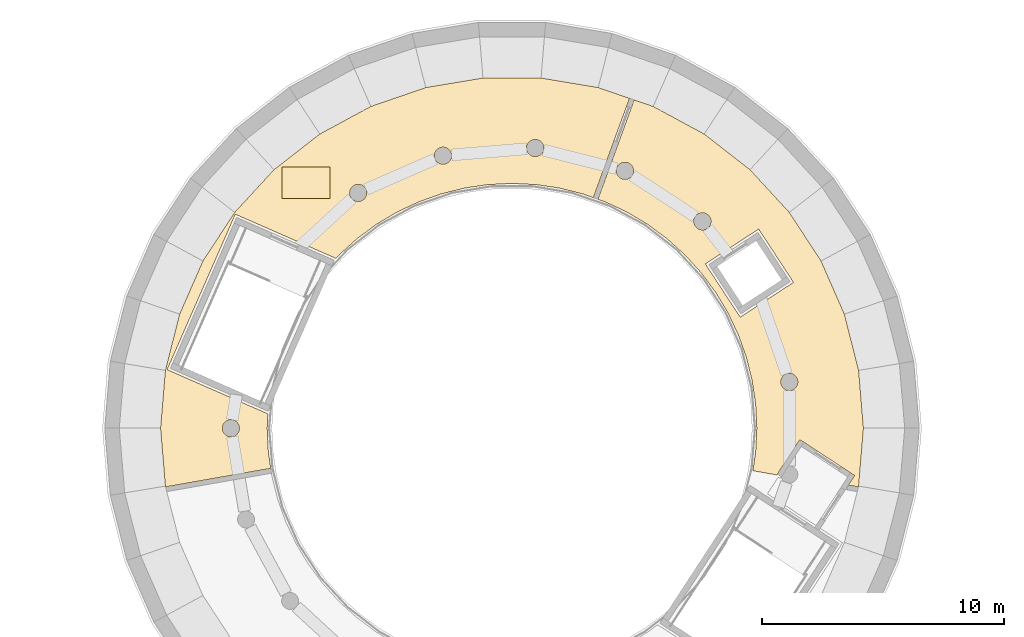
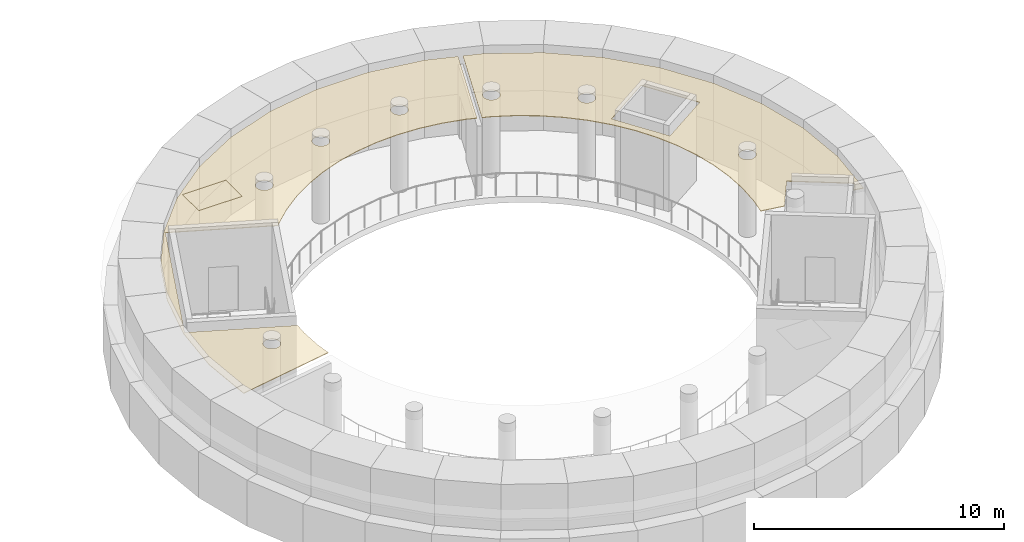
# One storey, part 88 of 92: 3 coverings.
"""IFC4 building model written with IfcOpenShell, lengths in metres."""

from ifc_helpers import new_model, si_unit, direction, frame, origin, place, context, subcontext, project, spatial, polyline, outline, extrude, material, layer, layer_set, type_object, element, save


model = new_model("IFC4")

# Units and contexts
model_context = context("Model", 3, precision=1e-05, world=origin(), true_north=direction((0.0, 1.0)))
body_context = subcontext(model_context, "Body", "Model", "MODEL_VIEW")
ifc_project = project(units=[si_unit("LENGTHUNIT", "METRE"), si_unit("AREAUNIT", "SQUARE_METRE"), si_unit("VOLUMEUNIT", "CUBIC_METRE"), si_unit("PLANEANGLEUNIT", "RADIAN"), si_unit("MASSUNIT", "GRAM", prefix="KILO")], contexts=[model_context])

# Site, building, storey
site_placement = place(None, origin())
site = spatial("IfcSite", under=ifc_project, at=site_placement, CompositionType="ELEMENT")
building_placement = place(site_placement, origin())
building = spatial("IfcBuilding", under=site, at=building_placement, Name="Sun Court Science Centre", CompositionType="ELEMENT")
storey_placement = place(building_placement, frame((0.0, 0.0, 11.25)))
storey = spatial("IfcBuildingStorey", under=building, at=storey_placement, Name="L02", CompositionType="ELEMENT", Elevation=11.25)

# Coverings
ifc_material_1 = material(Name="Perforated steel", Category="steel")
ifc_layer_1 = layer(ifc_material_1, 0.030029296875)
ifc_layer_set_1 = layer_set([ifc_layer_1], Name="Perforated steel")
covering_type_1 = type_object("IfcCoveringType", Name="Ceiling acoustic perforated", PredefinedType="CEILING", material=ifc_layer_set_1)
covering_1_placement = place(storey_placement, frame((0.0, 0.0, 3.77001953125)))
element("IfcCovering", 1, at=covering_1_placement, inside=storey, type_object=covering_type_1, Name="L02-066 ceiling", PredefinedType="CEILING", context=body_context, shape_type="SweptSolid", body=[
    extrude(outline(polyline([(64.712646484375, 101.507568359375), (65.300537109375, 99.186279296875), (65.498291015625, 96.800048828125), (65.300537109375, 94.413818359375), (65.29248046875, 94.38134765625), (64.876708984375, 94.45458984375), (65.1357421875, 94.85107421875), (62.87548828125, 96.327880859375), (61.92529296875, 94.87353515625), (60.938232421875, 95.047607421875), (61.051513671875, 95.81005859375), (61.10009765625, 96.800048828125), (61.051513671875, 97.7900390625), (60.906005859375, 98.7705078125), (60.6650390625, 99.73193359375), (60.331298828125, 100.6650390625), (59.907470703125, 101.56103515625), (59.397705078125, 102.411376953125), (58.807373046875, 103.20751953125), (58.141845703125, 103.94189453125), (57.407470703125, 104.607421875), (56.611328125, 105.19775390625), (55.760986328125, 105.70751953125), (54.864990234375, 106.131103515625), (54.54443359375, 106.245849609375), (56.037109375, 110.34716796875), (56.823974609375, 110.0771484375), (58.9296875, 108.9375), (60.8193359375, 107.466796875), (62.441162109375, 105.705078125), (63.7509765625, 103.700439453125), (64.712646484375, 101.507568359375)]), holes=[polyline([(62.791015625, 98.686279296875), (62.791748046875, 98.709228515625), (62.791015625, 98.732177734375), (62.788818359375, 98.7548828125), (62.78515625, 98.777587890625), (62.77978515625, 98.7998046875), (62.773193359375, 98.82177734375), (62.76513671875, 98.84326171875), (62.755615234375, 98.864013671875), (62.744873046875, 98.88427734375), (62.73291015625, 98.90380859375), (62.719482421875, 98.92236328125), (62.704833984375, 98.940185546875), (62.689208984375, 98.956787109375), (62.672607421875, 98.972412109375), (62.65478515625, 98.987060546875), (62.63623046875, 99.000244140625), (62.61669921875, 99.012451171875), (62.5966796875, 99.023193359375), (62.57568359375, 99.03271484375), (62.55419921875, 99.040771484375), (62.532470703125, 99.04736328125), (62.510009765625, 99.052490234375), (62.487548828125, 99.056396484375), (62.464599609375, 99.05859375), (62.44189453125, 99.059326171875), (62.4189453125, 99.05859375), (62.39599609375, 99.056396484375), (62.37353515625, 99.052490234375), (62.351318359375, 99.04736328125), (62.329345703125, 99.040771484375), (62.307861328125, 99.03271484375), (62.287109375, 99.023193359375), (62.266845703125, 99.012451171875), (62.247314453125, 99.000244140625), (62.228759765625, 98.987060546875), (62.2109375, 98.972412109375), (62.1943359375, 98.956787109375), (62.1787109375, 98.940185546875), (62.1640625, 98.92236328125), (62.15087890625, 98.90380859375), (62.138671875, 98.88427734375), (62.1279296875, 98.864013671875), (62.118408203125, 98.84326171875), (62.1103515625, 98.82177734375), (62.103759765625, 98.7998046875), (62.098388671875, 98.777587890625), (62.0947265625, 98.7548828125), (62.092529296875, 98.732177734375), (62.091796875, 98.709228515625), (62.092529296875, 98.686279296875), (62.0947265625, 98.66357421875), (62.098388671875, 98.64111328125), (62.103759765625, 98.61865234375), (62.1103515625, 98.5966796875), (62.118408203125, 98.575439453125), (62.1279296875, 98.554443359375), (62.138671875, 98.5341796875), (62.15087890625, 98.514892578125), (62.1640625, 98.49609375), (62.1787109375, 98.478515625), (62.1943359375, 98.4619140625), (62.2109375, 98.4462890625), (62.228759765625, 98.431640625), (62.247314453125, 98.418212890625), (62.266845703125, 98.40625), (62.287109375, 98.3955078125), (62.307861328125, 98.385986328125), (62.329345703125, 98.3779296875), (62.351318359375, 98.37109375), (62.37353515625, 98.365966796875), (62.39599609375, 98.3623046875), (62.4189453125, 98.360107421875), (62.44189453125, 98.359375), (62.464599609375, 98.360107421875), (62.487548828125, 98.3623046875), (62.510009765625, 98.365966796875), (62.532470703125, 98.37109375), (62.55419921875, 98.3779296875), (62.57568359375, 98.385986328125), (62.5966796875, 98.3955078125), (62.61669921875, 98.40625), (62.63623046875, 98.418212890625), (62.65478515625, 98.431640625), (62.672607421875, 98.4462890625), (62.689208984375, 98.4619140625), (62.704833984375, 98.478515625), (62.719482421875, 98.49609375), (62.73291015625, 98.514892578125), (62.744873046875, 98.5341796875), (62.755615234375, 98.554443359375), (62.76513671875, 98.575439453125), (62.773193359375, 98.5966796875), (62.77978515625, 98.61865234375), (62.78515625, 98.64111328125), (62.788818359375, 98.66357421875), (62.791015625, 98.686279296875)]), polyline([(58.978271484375, 103.580078125), (60.413818359375, 101.382568359375), (62.611572265625, 102.818359375), (61.17578125, 105.015869140625), (58.978271484375, 103.580078125)]), polyline([(59.194580078125, 105.243896484375), (59.19970703125, 105.26611328125), (59.20361328125, 105.288818359375), (59.205810546875, 105.3115234375), (59.20654296875, 105.33447265625), (59.205810546875, 105.357421875), (59.20361328125, 105.380126953125), (59.19970703125, 105.402587890625), (59.194580078125, 105.425048828125), (59.18798828125, 105.447021484375), (59.1796875, 105.46826171875), (59.17041015625, 105.4892578125), (59.15966796875, 105.509521484375), (59.1474609375, 105.52880859375), (59.134033203125, 105.547607421875), (59.11962890625, 105.565185546875), (59.10400390625, 105.581787109375), (59.087158203125, 105.597412109375), (59.069580078125, 105.612060546875), (59.05078125, 105.62548828125), (59.031494140625, 105.637451171875), (59.01123046875, 105.648193359375), (58.990478515625, 105.65771484375), (58.968994140625, 105.665771484375), (58.947021484375, 105.672607421875), (58.9248046875, 105.677734375), (58.902099609375, 105.681396484375), (58.87939453125, 105.68359375), (58.8564453125, 105.684326171875), (58.83349609375, 105.68359375), (58.810791015625, 105.681396484375), (58.7880859375, 105.677734375), (58.765869140625, 105.672607421875), (58.743896484375, 105.665771484375), (58.722412109375, 105.65771484375), (58.70166015625, 105.648193359375), (58.681396484375, 105.637451171875), (58.662109375, 105.62548828125), (58.643310546875, 105.612060546875), (58.625732421875, 105.597412109375), (58.60888671875, 105.581787109375), (58.59326171875, 105.565185546875), (58.578857421875, 105.547607421875), (58.5654296875, 105.52880859375), (58.553466796875, 105.509521484375), (58.54248046875, 105.4892578125), (58.533203125, 105.46826171875), (58.52490234375, 105.447021484375), (58.518310546875, 105.425048828125), (58.51318359375, 105.402587890625), (58.509521484375, 105.380126953125), (58.507080078125, 105.357421875), (58.506591796875, 105.33447265625), (58.507080078125, 105.3115234375), (58.509521484375, 105.288818359375), (58.51318359375, 105.26611328125), (58.518310546875, 105.243896484375), (58.52490234375, 105.221923828125), (58.533203125, 105.200439453125), (58.54248046875, 105.1796875), (58.553466796875, 105.159423828125), (58.5654296875, 105.139892578125), (58.578857421875, 105.121337890625), (58.59326171875, 105.103515625), (58.60888671875, 105.0869140625), (58.625732421875, 105.0712890625), (58.643310546875, 105.056640625), (58.662109375, 105.04345703125), (58.681396484375, 105.03125), (58.70166015625, 105.0205078125), (58.722412109375, 105.010986328125), (58.743896484375, 105.0029296875), (58.765869140625, 104.996337890625), (58.7880859375, 104.9912109375), (58.810791015625, 104.9873046875), (58.83349609375, 104.985107421875), (58.8564453125, 104.984375), (58.87939453125, 104.985107421875), (58.902099609375, 104.9873046875), (58.9248046875, 104.9912109375), (58.947021484375, 104.996337890625), (58.968994140625, 105.0029296875), (58.990478515625, 105.010986328125), (59.01123046875, 105.0205078125), (59.031494140625, 105.03125), (59.05078125, 105.04345703125), (59.069580078125, 105.056640625), (59.087158203125, 105.0712890625), (59.10400390625, 105.0869140625), (59.11962890625, 105.103515625), (59.134033203125, 105.121337890625), (59.1474609375, 105.139892578125), (59.15966796875, 105.159423828125), (59.17041015625, 105.1796875), (59.1796875, 105.200439453125), (59.18798828125, 105.221923828125), (59.194580078125, 105.243896484375)]), polyline([(55.9912109375, 107.310546875), (55.997802734375, 107.33251953125), (56.0029296875, 107.354736328125), (56.006591796875, 107.377197265625), (56.0087890625, 107.400146484375), (56.009765625, 107.423095703125), (56.0087890625, 107.44580078125), (56.006591796875, 107.46875), (56.0029296875, 107.4912109375), (55.997802734375, 107.513671875), (55.9912109375, 107.535400390625), (55.98291015625, 107.556884765625), (55.9736328125, 107.577880859375), (55.962890625, 107.597900390625), (55.95068359375, 107.617431640625), (55.937255859375, 107.635986328125), (55.9228515625, 107.65380859375), (55.9072265625, 107.67041015625), (55.890380859375, 107.68603515625), (55.872802734375, 107.70068359375), (55.85400390625, 107.714111328125), (55.834716796875, 107.72607421875), (55.814453125, 107.73681640625), (55.793701171875, 107.746337890625), (55.772216796875, 107.75439453125), (55.750244140625, 107.760986328125), (55.727783203125, 107.76611328125), (55.705322265625, 107.77001953125), (55.6826171875, 107.772216796875), (55.65966796875, 107.77294921875), (55.63671875, 107.772216796875), (55.614013671875, 107.77001953125), (55.59130859375, 107.76611328125), (55.569091796875, 107.760986328125), (55.547119140625, 107.75439453125), (55.525634765625, 107.746337890625), (55.5048828125, 107.73681640625), (55.484619140625, 107.72607421875), (55.465087890625, 107.714111328125), (55.446533203125, 107.70068359375), (55.428955078125, 107.68603515625), (55.412109375, 107.67041015625), (55.396484375, 107.65380859375), (55.382080078125, 107.635986328125), (55.36865234375, 107.617431640625), (55.356689453125, 107.597900390625), (55.345703125, 107.577880859375), (55.336181640625, 107.556884765625), (55.328125, 107.535400390625), (55.321533203125, 107.513671875), (55.31640625, 107.4912109375), (55.312744140625, 107.46875), (55.310302734375, 107.44580078125), (55.309814453125, 107.423095703125), (55.310302734375, 107.400146484375), (55.312744140625, 107.377197265625), (55.31640625, 107.354736328125), (55.321533203125, 107.33251953125), (55.328125, 107.310546875), (55.336181640625, 107.2890625), (55.345703125, 107.268310546875), (55.356689453125, 107.248046875), (55.36865234375, 107.228515625), (55.382080078125, 107.2099609375), (55.396484375, 107.192138671875), (55.412109375, 107.175537109375), (55.428955078125, 107.159912109375), (55.446533203125, 107.145263671875), (55.465087890625, 107.132080078125), (55.484619140625, 107.119873046875), (55.5048828125, 107.109130859375), (55.525634765625, 107.099609375), (55.547119140625, 107.091552734375), (55.569091796875, 107.0849609375), (55.59130859375, 107.07958984375), (55.614013671875, 107.075927734375), (55.63671875, 107.07373046875), (55.65966796875, 107.072998046875), (55.6826171875, 107.07373046875), (55.705322265625, 107.075927734375), (55.727783203125, 107.07958984375), (55.750244140625, 107.0849609375), (55.772216796875, 107.091552734375), (55.793701171875, 107.099609375), (55.814453125, 107.109130859375), (55.834716796875, 107.119873046875), (55.85400390625, 107.132080078125), (55.872802734375, 107.145263671875), (55.890380859375, 107.159912109375), (55.9072265625, 107.175537109375), (55.9228515625, 107.192138671875), (55.937255859375, 107.2099609375), (55.95068359375, 107.228515625), (55.962890625, 107.248046875), (55.9736328125, 107.268310546875), (55.98291015625, 107.2890625), (55.9912109375, 107.310546875)])]), origin(), (0.0, 0.0, 1.0), 0.030029296875),
])
ifc_material_2 = material(Name="Gypsum board")
ifc_layer_2 = layer(ifc_material_2, 0.030029296875)
ifc_layer_set_2 = layer_set([ifc_layer_2], Name="Gypsum board")
covering_type_2 = type_object("IfcCoveringType", Name="Ceiling suspended 600 module", PredefinedType="CEILING", material=ifc_layer_set_2)
covering_2_placement = place(storey_placement, frame((0.0, 0.0, 3.77001953125)))
element("IfcCovering", 2, at=covering_2_placement, inside=storey, type_object=covering_type_2, Name="L02-067 ceiling", PredefinedType="CEILING", context=body_context, shape_type="SweptSolid", body=[
    extrude(outline(polyline([(43.0703125, 108.9375), (45.176025390625, 110.0771484375), (47.44091796875, 110.8544921875), (49.802734375, 111.248779296875), (52.197265625, 111.248779296875), (54.55908203125, 110.8544921875), (55.847900390625, 110.412109375), (54.356201171875, 106.313232421875), (53.931884765625, 106.465087890625), (52.970458984375, 106.705810546875), (51.989990234375, 106.851318359375), (51.0, 106.89990234375), (50.010009765625, 106.851318359375), (49.029541015625, 106.705810546875), (48.068115234375, 106.465087890625), (47.135009765625, 106.131103515625), (46.239013671875, 105.70751953125), (45.388671875, 105.19775390625), (44.592529296875, 104.607421875), (43.858154296875, 103.94189453125), (43.73681640625, 103.807861328125), (39.585205078125, 105.62890625), (36.773193359375, 99.218505859375), (40.92919921875, 97.3955078125), (40.89990234375, 96.800048828125), (40.948486328125, 95.81005859375), (41.047119140625, 95.146484375), (36.70751953125, 94.38134765625), (36.699462890625, 94.413818359375), (36.501708984375, 96.800048828125), (36.699462890625, 99.186279296875), (37.287353515625, 101.507568359375), (38.2490234375, 103.700439453125), (39.558837890625, 105.705078125), (41.1806640625, 107.466796875), (43.0703125, 108.9375)]), holes=[polyline([(52.307861328125, 108.3603515625), (52.30712890625, 108.38330078125), (52.304931640625, 108.406005859375), (52.30126953125, 108.4287109375), (52.2958984375, 108.450927734375), (52.289306640625, 108.472900390625), (52.28125, 108.494384765625), (52.271728515625, 108.51513671875), (52.260986328125, 108.535400390625), (52.248779296875, 108.5546875), (52.235595703125, 108.573486328125), (52.22119140625, 108.59130859375), (52.205322265625, 108.60791015625), (52.188720703125, 108.62353515625), (52.1708984375, 108.63818359375), (52.15234375, 108.6513671875), (52.1328125, 108.66357421875), (52.11279296875, 108.67431640625), (52.091796875, 108.68359375), (52.0703125, 108.69189453125), (52.048583984375, 108.698486328125), (52.026123046875, 108.70361328125), (52.003662109375, 108.70751953125), (51.980712890625, 108.709716796875), (51.9580078125, 108.71044921875), (51.93505859375, 108.709716796875), (51.912109375, 108.70751953125), (51.8896484375, 108.70361328125), (51.8671875, 108.698486328125), (51.845458984375, 108.69189453125), (51.823974609375, 108.68359375), (51.802978515625, 108.67431640625), (51.782958984375, 108.66357421875), (51.763427734375, 108.6513671875), (51.744873046875, 108.63818359375), (51.72705078125, 108.62353515625), (51.71044921875, 108.60791015625), (51.69482421875, 108.59130859375), (51.68017578125, 108.573486328125), (51.6669921875, 108.5546875), (51.65478515625, 108.535400390625), (51.64404296875, 108.51513671875), (51.634521484375, 108.494384765625), (51.62646484375, 108.472900390625), (51.619873046875, 108.450927734375), (51.614501953125, 108.4287109375), (51.61083984375, 108.406005859375), (51.608642578125, 108.38330078125), (51.60791015625, 108.3603515625), (51.608642578125, 108.33740234375), (51.61083984375, 108.314697265625), (51.614501953125, 108.2919921875), (51.619873046875, 108.269775390625), (51.62646484375, 108.247802734375), (51.634521484375, 108.226318359375), (51.64404296875, 108.20556640625), (51.65478515625, 108.185302734375), (51.6669921875, 108.166015625), (51.68017578125, 108.147216796875), (51.69482421875, 108.129638671875), (51.71044921875, 108.11279296875), (51.72705078125, 108.09716796875), (51.744873046875, 108.082763671875), (51.763427734375, 108.0693359375), (51.782958984375, 108.057373046875), (51.802978515625, 108.04638671875), (51.823974609375, 108.037109375), (51.845458984375, 108.029052734375), (51.8671875, 108.022216796875), (51.8896484375, 108.01708984375), (51.912109375, 108.013427734375), (51.93505859375, 108.010986328125), (51.9580078125, 108.010498046875), (51.980712890625, 108.010986328125), (52.003662109375, 108.013427734375), (52.026123046875, 108.01708984375), (52.048583984375, 108.022216796875), (52.0703125, 108.029052734375), (52.091796875, 108.037109375), (52.11279296875, 108.04638671875), (52.1328125, 108.057373046875), (52.15234375, 108.0693359375), (52.1708984375, 108.082763671875), (52.188720703125, 108.09716796875), (52.205322265625, 108.11279296875), (52.22119140625, 108.129638671875), (52.235595703125, 108.147216796875), (52.248779296875, 108.166015625), (52.260986328125, 108.185302734375), (52.271728515625, 108.20556640625), (52.28125, 108.226318359375), (52.289306640625, 108.247802734375), (52.2958984375, 108.269775390625), (52.30126953125, 108.2919921875), (52.304931640625, 108.314697265625), (52.30712890625, 108.33740234375), (52.307861328125, 108.3603515625)]), polyline([(48.501708984375, 108.022216796875), (48.50244140625, 108.044921875), (48.501708984375, 108.06787109375), (48.49951171875, 108.0908203125), (48.49560546875, 108.11328125), (48.490478515625, 108.135498046875), (48.48388671875, 108.157470703125), (48.4755859375, 108.178955078125), (48.46630859375, 108.19970703125), (48.45556640625, 108.219970703125), (48.443359375, 108.239501953125), (48.429931640625, 108.258056640625), (48.41552734375, 108.27587890625), (48.39990234375, 108.29248046875), (48.383056640625, 108.30810546875), (48.365478515625, 108.32275390625), (48.3466796875, 108.336181640625), (48.327392578125, 108.34814453125), (48.30712890625, 108.35888671875), (48.286376953125, 108.368408203125), (48.264892578125, 108.37646484375), (48.242919921875, 108.383056640625), (48.220703125, 108.38818359375), (48.197998046875, 108.39208984375), (48.17529296875, 108.394287109375), (48.15234375, 108.39501953125), (48.12939453125, 108.394287109375), (48.106689453125, 108.39208984375), (48.083984375, 108.38818359375), (48.061767578125, 108.383056640625), (48.039794921875, 108.37646484375), (48.018310546875, 108.368408203125), (47.99755859375, 108.35888671875), (47.977294921875, 108.34814453125), (47.9580078125, 108.336181640625), (47.939208984375, 108.32275390625), (47.921630859375, 108.30810546875), (47.90478515625, 108.29248046875), (47.88916015625, 108.27587890625), (47.874755859375, 108.258056640625), (47.861328125, 108.239501953125), (47.849365234375, 108.219970703125), (47.83837890625, 108.19970703125), (47.8291015625, 108.178955078125), (47.82080078125, 108.157470703125), (47.814208984375, 108.135498046875), (47.80908203125, 108.11328125), (47.805419921875, 108.0908203125), (47.802978515625, 108.06787109375), (47.802490234375, 108.044921875), (47.802978515625, 108.022216796875), (47.805419921875, 107.99951171875), (47.80908203125, 107.976806640625), (47.814208984375, 107.95458984375), (47.82080078125, 107.9326171875), (47.8291015625, 107.9111328125), (47.83837890625, 107.89013671875), (47.849365234375, 107.8701171875), (47.861328125, 107.8505859375), (47.874755859375, 107.83203125), (47.88916015625, 107.814208984375), (47.90478515625, 107.797607421875), (47.921630859375, 107.781982421875), (47.939208984375, 107.767333984375), (47.9580078125, 107.75390625), (47.977294921875, 107.741943359375), (47.99755859375, 107.731201171875), (48.018310546875, 107.7216796875), (48.039794921875, 107.713623046875), (48.061767578125, 107.70703125), (48.083984375, 107.701904296875), (48.106689453125, 107.697998046875), (48.12939453125, 107.69580078125), (48.15234375, 107.695068359375), (48.17529296875, 107.69580078125), (48.197998046875, 107.697998046875), (48.220703125, 107.701904296875), (48.242919921875, 107.70703125), (48.264892578125, 107.713623046875), (48.286376953125, 107.7216796875), (48.30712890625, 107.731201171875), (48.327392578125, 107.741943359375), (48.3466796875, 107.75390625), (48.365478515625, 107.767333984375), (48.383056640625, 107.781982421875), (48.39990234375, 107.797607421875), (48.41552734375, 107.814208984375), (48.429931640625, 107.83203125), (48.443359375, 107.8505859375), (48.45556640625, 107.8701171875), (48.46630859375, 107.89013671875), (48.4755859375, 107.9111328125), (48.48388671875, 107.9326171875), (48.490478515625, 107.95458984375), (48.49560546875, 107.976806640625), (48.49951171875, 107.99951171875), (48.501708984375, 108.022216796875)]), polyline([(45.00244140625, 106.46533203125), (45.004638671875, 106.48828125), (45.00537109375, 106.510986328125), (45.004638671875, 106.533935546875), (45.00244140625, 106.556884765625), (44.998779296875, 106.579345703125), (44.993408203125, 106.601806640625), (44.98681640625, 106.62353515625), (44.978759765625, 106.64501953125), (44.96923828125, 106.666015625), (44.95849609375, 106.68603515625), (44.9462890625, 106.70556640625), (44.93310546875, 106.72412109375), (44.91845703125, 106.741943359375), (44.90283203125, 106.758544921875), (44.88623046875, 106.7744140625), (44.868408203125, 106.788818359375), (44.849853515625, 106.802001953125), (44.830322265625, 106.814208984375), (44.810302734375, 106.824951171875), (44.789306640625, 106.83447265625), (44.767822265625, 106.842529296875), (44.74609375, 106.84912109375), (44.7236328125, 106.8544921875), (44.701171875, 106.858154296875), (44.67822265625, 106.8603515625), (44.655517578125, 106.861083984375), (44.632568359375, 106.8603515625), (44.609619140625, 106.858154296875), (44.587158203125, 106.8544921875), (44.564697265625, 106.84912109375), (44.54296875, 106.842529296875), (44.521484375, 106.83447265625), (44.50048828125, 106.824951171875), (44.48046875, 106.814208984375), (44.4609375, 106.802001953125), (44.4423828125, 106.788818359375), (44.424560546875, 106.7744140625), (44.407958984375, 106.758544921875), (44.392333984375, 106.741943359375), (44.377685546875, 106.72412109375), (44.364501953125, 106.70556640625), (44.352294921875, 106.68603515625), (44.341552734375, 106.666015625), (44.33203125, 106.64501953125), (44.323974609375, 106.62353515625), (44.3173828125, 106.601806640625), (44.31201171875, 106.579345703125), (44.308349609375, 106.556884765625), (44.30615234375, 106.533935546875), (44.305419921875, 106.510986328125), (44.30615234375, 106.48828125), (44.308349609375, 106.46533203125), (44.31201171875, 106.44287109375), (44.3173828125, 106.42041015625), (44.323974609375, 106.398681640625), (44.33203125, 106.377197265625), (44.341552734375, 106.356201171875), (44.352294921875, 106.336181640625), (44.364501953125, 106.316650390625), (44.377685546875, 106.298095703125), (44.392333984375, 106.280517578125), (44.407958984375, 106.263671875), (44.424560546875, 106.248046875), (44.4423828125, 106.2333984375), (44.4609375, 106.22021484375), (44.48046875, 106.2080078125), (44.50048828125, 106.197265625), (44.521484375, 106.187744140625), (44.54296875, 106.1796875), (44.564697265625, 106.173095703125), (44.587158203125, 106.16796875), (44.609619140625, 106.1640625), (44.632568359375, 106.161865234375), (44.655517578125, 106.1611328125), (44.67822265625, 106.161865234375), (44.701171875, 106.1640625), (44.7236328125, 106.16796875), (44.74609375, 106.173095703125), (44.767822265625, 106.1796875), (44.789306640625, 106.187744140625), (44.810302734375, 106.197265625), (44.830322265625, 106.2080078125), (44.849853515625, 106.22021484375), (44.868408203125, 106.2333984375), (44.88623046875, 106.248046875), (44.90283203125, 106.263671875), (44.91845703125, 106.280517578125), (44.93310546875, 106.298095703125), (44.9462890625, 106.316650390625), (44.95849609375, 106.336181640625), (44.96923828125, 106.356201171875), (44.978759765625, 106.377197265625), (44.98681640625, 106.398681640625), (44.993408203125, 106.42041015625), (44.998779296875, 106.44287109375), (45.00244140625, 106.46533203125)]), polyline([(43.501708984375, 107.584228515625), (41.501708984375, 107.584228515625), (41.501708984375, 106.2841796875), (43.501708984375, 106.2841796875), (43.501708984375, 107.584228515625)]), polyline([(39.738037109375, 96.70947265625), (39.743408203125, 96.731689453125), (39.7470703125, 96.75439453125), (39.749267578125, 96.777099609375), (39.75, 96.800048828125), (39.749267578125, 96.822998046875), (39.7470703125, 96.845703125), (39.743408203125, 96.868408203125), (39.738037109375, 96.890625), (39.7314453125, 96.91259765625), (39.723388671875, 96.933837890625), (39.7138671875, 96.954833984375), (39.703125, 96.97509765625), (39.69091796875, 96.994384765625), (39.677734375, 97.01318359375), (39.6630859375, 97.03076171875), (39.6474609375, 97.047607421875), (39.630859375, 97.06298828125), (39.613037109375, 97.07763671875), (39.594482421875, 97.091064453125), (39.574951171875, 97.10302734375), (39.5546875, 97.114013671875), (39.533935546875, 97.123291015625), (39.512451171875, 97.13134765625), (39.490478515625, 97.13818359375), (39.46826171875, 97.143310546875), (39.44580078125, 97.14697265625), (39.4228515625, 97.1494140625), (39.39990234375, 97.14990234375), (39.377197265625, 97.1494140625), (39.354248046875, 97.14697265625), (39.331787109375, 97.143310546875), (39.309326171875, 97.13818359375), (39.28759765625, 97.13134765625), (39.26611328125, 97.123291015625), (39.2451171875, 97.114013671875), (39.22509765625, 97.10302734375), (39.20556640625, 97.091064453125), (39.18701171875, 97.07763671875), (39.169189453125, 97.06298828125), (39.152587890625, 97.047607421875), (39.136962890625, 97.03076171875), (39.122314453125, 97.01318359375), (39.10888671875, 96.994384765625), (39.096923828125, 96.97509765625), (39.086181640625, 96.954833984375), (39.07666015625, 96.933837890625), (39.068603515625, 96.91259765625), (39.06201171875, 96.890625), (39.056640625, 96.868408203125), (39.052978515625, 96.845703125), (39.05078125, 96.822998046875), (39.050048828125, 96.800048828125), (39.05078125, 96.777099609375), (39.052978515625, 96.75439453125), (39.056640625, 96.731689453125), (39.06201171875, 96.70947265625), (39.068603515625, 96.6875), (39.07666015625, 96.666015625), (39.086181640625, 96.645263671875), (39.096923828125, 96.625), (39.10888671875, 96.605712890625), (39.122314453125, 96.5869140625), (39.136962890625, 96.569091796875), (39.152587890625, 96.552490234375), (39.169189453125, 96.536865234375), (39.18701171875, 96.522216796875), (39.20556640625, 96.509033203125), (39.22509765625, 96.496826171875), (39.2451171875, 96.486083984375), (39.26611328125, 96.4765625), (39.28759765625, 96.468505859375), (39.309326171875, 96.4619140625), (39.331787109375, 96.456787109375), (39.354248046875, 96.452880859375), (39.377197265625, 96.45068359375), (39.39990234375, 96.449951171875), (39.4228515625, 96.45068359375), (39.44580078125, 96.452880859375), (39.46826171875, 96.456787109375), (39.490478515625, 96.4619140625), (39.512451171875, 96.468505859375), (39.533935546875, 96.4765625), (39.5546875, 96.486083984375), (39.574951171875, 96.496826171875), (39.594482421875, 96.509033203125), (39.613037109375, 96.522216796875), (39.630859375, 96.536865234375), (39.6474609375, 96.552490234375), (39.6630859375, 96.569091796875), (39.677734375, 96.5869140625), (39.69091796875, 96.605712890625), (39.703125, 96.625), (39.7138671875, 96.645263671875), (39.723388671875, 96.666015625), (39.7314453125, 96.6875), (39.738037109375, 96.70947265625)])]), origin(), (0.0, 0.0, 1.0), 0.030029296875),
])
covering_3_placement = place(storey_placement, frame((0.0, 0.0, 3.77001953125)))
element("IfcCovering", 3, at=covering_3_placement, inside=storey, type_object=covering_type_2, Name="L02-069 ceiling", PredefinedType="CEILING", context=body_context, shape_type="SweptSolid", body=[
    extrude(outline(polyline([(43.501708984375, 107.584228515625), (43.501708984375, 106.2841796875), (41.501708984375, 106.2841796875), (41.501708984375, 107.584228515625), (43.501708984375, 107.584228515625)])), origin(), (0.0, 0.0, 1.0), 0.030029296875),
])

save(model, "model.ifc")
